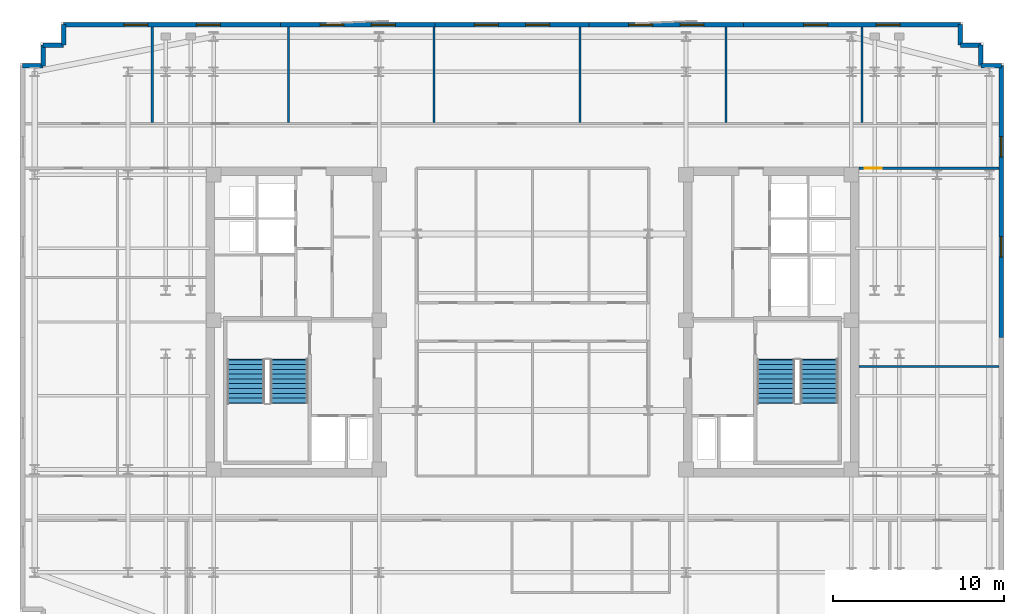
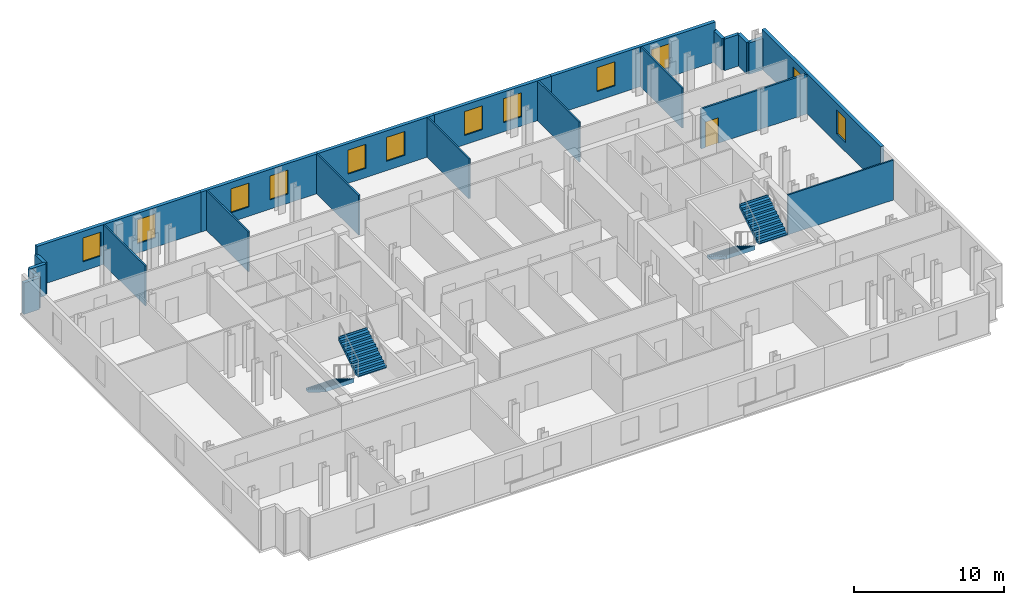
# One storey, part 7 of 9: 22 walls, 12 windows, 4 stair flights, 1 door, 13 openings, 2 elements without a shape of their own.
"""IFC4 building model written with IfcOpenShell, lengths in metres."""

import ifcopenshell
import ifcopenshell.guid

model = None  # the IFC model being written
_history = None  # IfcOwnerHistory: only IFC2X3 demands one
_inside = {}  # id of a spatial element -> (the spatial element, [elements in it])
_under = {}  # id of a project, library or spatial element -> (it, [spatial elements below it])
_declared = {}  # id of a project -> (the project, [libraries it declares])
_typed = {}  # id of a type object -> (the type object, [elements of that type])
_made_of = {}  # id of a material, layer set ... -> (it, [elements and type objects made of it])


def new_model(schema):
    """Start an empty IFC model of exactly this schema.

    Asked for "IFC4X3", IfcOpenShell would pick the latest addendum, in which some entities
    have other attributes; the version numbers below select the first issue.
    IFC2X3 requires an IfcOwnerHistory on every rooted entity: one is made here for all.
    """
    global model, _history
    if schema == "IFC4X3":
        model = ifcopenshell.file(schema_version=(4, 3, 0, 0))
    else:
        model = ifcopenshell.file(schema=schema)
    _inside.clear()
    _under.clear()
    _declared.clear()
    _typed.clear()
    _made_of.clear()
    _history = None
    if model.schema == "IFC2X3":
        org = make("IfcOrganization", Name="unknown")
        user = make(
            "IfcPersonAndOrganization",
            ThePerson=make("IfcPerson", FamilyName="unknown"),
            TheOrganization=org,
        )
        app = make(
            "IfcApplication",
            ApplicationDeveloper=org,
            Version="unknown",
            ApplicationFullName="unknown",
            ApplicationIdentifier="unknown",
        )
        _history = make(
            "IfcOwnerHistory",
            OwningUser=user,
            OwningApplication=app,
            ChangeAction="ADDED",
            CreationDate=0,
        )
    return model


def make(cls, **values):
    """One entity of the class cls with the attributes given. An attribute that is None is left unset."""
    return model.create_entity(
        cls, **{name: value for name, value in values.items() if value is not None}
    )


def rooted(cls, **values):
    """An entity with a GlobalId (a new one), such as an element, a storey or a relation."""
    return make(cls, GlobalId=ifcopenshell.guid.new(), OwnerHistory=_history, **values)


def si_unit(unit_type, name, prefix=None):
    """IfcSIUnit, for example si_unit("LENGTHUNIT", "METRE", prefix="MILLI")."""
    return make("IfcSIUnit", UnitType=unit_type, Prefix=prefix, Name=name)


def assignment(units):
    """IfcUnitAssignment: the units of a project."""
    return None if units is None else make("IfcUnitAssignment", Units=units)


def point(xyz):
    """IfcCartesianPoint."""
    return None if xyz is None else make("IfcCartesianPoint", Coordinates=xyz)


def direction(xyz):
    """IfcDirection."""
    return None if xyz is None else make("IfcDirection", DirectionRatios=xyz)


def frame(location, z_axis=None, x_axis=None):
    """IfcAxis2Placement3D, a coordinate frame: its origin and axes. An axis left out is left unset."""
    return make(
        "IfcAxis2Placement3D",
        Location=point(location),
        Axis=direction(z_axis),
        RefDirection=direction(x_axis),
    )


def frame_2d(location, x_axis=None):
    """IfcAxis2Placement2D, a coordinate frame in the plane: its origin and x axis."""
    return make(
        "IfcAxis2Placement2D", Location=point(location), RefDirection=direction(x_axis)
    )


def origin():
    """The frame at (0, 0, 0) with its axes left unset."""
    return frame((0.0, 0.0, 0.0))


def place(relative_to, where):
    """IfcLocalPlacement: puts the frame where relative to a parent placement (None: the world)."""
    return make(
        "IfcLocalPlacement", PlacementRelTo=relative_to, RelativePlacement=where
    )


def context(
    kind, dimensions, precision=None, world=None, true_north=None, identifier=None
):
    """IfcGeometricRepresentationContext, for example the 3D "Model" context."""
    return make(
        "IfcGeometricRepresentationContext",
        ContextIdentifier=identifier,
        ContextType=kind,
        CoordinateSpaceDimension=dimensions,
        Precision=precision,
        WorldCoordinateSystem=world,
        TrueNorth=true_north,
    )


def subcontext(parent, identifier, kind, view, scale=None):
    """IfcGeometricRepresentationSubContext, for example "Body" below "Model"."""
    return make(
        "IfcGeometricRepresentationSubContext",
        ContextIdentifier=identifier,
        ContextType=kind,
        ParentContext=parent,
        TargetScale=scale,
        TargetView=view,
    )


def project(units=None, contexts=None):
    """IfcProject with its units and contexts."""
    return rooted(
        "IfcProject",
        Name="project",
        RepresentationContexts=contexts,
        UnitsInContext=assignment(units),
    )


def spatial(cls, under=None, at=None, **own):
    """A site, building, storey or space (cls), placed at a placement, below another one or the project."""
    s = rooted(cls, ObjectPlacement=at, **own)
    if under is not None:
        _under.setdefault(under.id(), (under, []))[1].append(s)
    return s


def polyline(points):
    """IfcPolyline through the points."""
    return make("IfcPolyline", Points=[point(p) for p in points])


def profile(cls, at=None, kind="AREA", **sizes):
    """A parametric profile (cls). Its sizes go by their IFC names, for example OverallWidth=200.0."""
    return make(cls, ProfileType=kind, Position=at, **sizes)


def rectangle(**sizes):
    """IfcRectangleProfileDef."""
    return profile("IfcRectangleProfileDef", **sizes)


def outline(outer, holes=None, kind="AREA"):
    """IfcArbitraryClosedProfileDef: a profile drawn as a closed curve; with holes, ...WithVoids."""
    if holes is None:
        return make("IfcArbitraryClosedProfileDef", ProfileType=kind, OuterCurve=outer)
    return make(
        "IfcArbitraryProfileDefWithVoids",
        ProfileType=kind,
        OuterCurve=outer,
        InnerCurves=holes,
    )


def extrude(swept, where, along, depth):
    """IfcExtrudedAreaSolid: the profile swept, set in the frame where, extruded along a direction by depth."""
    return make(
        "IfcExtrudedAreaSolid",
        SweptArea=swept,
        Position=where,
        ExtrudedDirection=direction(along),
        Depth=depth,
    )


def shape(context_of_items, identifier, shape_type, items):
    """IfcShapeRepresentation: the items that make up one representation, for example the "Body"."""
    return make(
        "IfcShapeRepresentation",
        ContextOfItems=context_of_items,
        RepresentationIdentifier=identifier,
        RepresentationType=shape_type,
        Items=items,
    )


def material(Name=None, Category=None):
    """IfcMaterial."""
    return make("IfcMaterial", Name=Name, Category=Category)


def layer(
    of_material, thickness, ventilated=None, Name=None, Category=None, Priority=None
):
    """IfcMaterialLayer: one layer of a wall or slab, of a material (None: an air gap)."""
    return make(
        "IfcMaterialLayer",
        Material=of_material,
        LayerThickness=thickness,
        IsVentilated=ventilated,
        Name=Name,
        Category=Category,
        Priority=Priority,
    )


def layer_set(layers, Name=None):
    """IfcMaterialLayerSet."""
    return make("IfcMaterialLayerSet", MaterialLayers=layers, LayerSetName=Name)


def made_of(thing, what):
    """Note that an element or type object is made of a material, layer set ...; save() writes the relation."""
    if what is not None:
        _made_of.setdefault(what.id(), (what, []))[1].append(thing)
    return thing


def type_object(cls, material=None, **own):
    """A type object (cls), such as IfcWallType, which elements share."""
    return made_of(rooted(cls, **own), material)


def element(
    cls,
    number,
    at=None,
    inside=None,
    cuts=None,
    type_object=None,
    material=None,
    context=None,
    identifier="Body",
    shape_type=None,
    held_by="IfcProductDefinitionShape",
    body=None,
    shapes=None,
    **own,
):
    """One element of the class cls, such as IfcWall. Its Tag is "e" and its number.

    at: its placement. inside: the storey or other place that contains it. cuts: it is an
    opening in that element (IfcRelVoidsElement). A single representation is given by context,
    identifier, shape_type and body (its items); several are given by shapes. held_by: the class
    of the entity that holds the representations. save() writes the other relations.
    """
    e = rooted(cls, Tag="e%d" % number, ObjectPlacement=at, **own)
    if body is not None:
        shapes = [shape(context, identifier, shape_type, body)]
    if shapes is not None:
        e.Representation = make(held_by, Representations=shapes)
    if inside is not None:
        _inside.setdefault(inside.id(), (inside, []))[1].append(e)
    if cuts is not None:
        rooted(
            "IfcRelVoidsElement", RelatingBuildingElement=cuts, RelatedOpeningElement=e
        )
    if type_object is not None:
        _typed.setdefault(type_object.id(), (type_object, []))[1].append(e)
    return made_of(e, material)


def fill(opening, filler):
    """IfcRelFillsElement: the door or window that sits in an opening."""
    return rooted(
        "IfcRelFillsElement",
        RelatingOpeningElement=opening,
        RelatedBuildingElement=filler,
    )


def aggregate(whole, parts):
    """IfcRelAggregates: a whole, such as a stair, and the parts it consists of."""
    return rooted("IfcRelAggregates", RelatingObject=whole, RelatedObjects=parts)


def save(model, path):
    """Write the relations noted so far, then the file.

    IfcRelAggregates (storeys below a building ...), IfcRelContainedInSpatialStructure (elements
    in a storey), IfcRelDefinesByType, IfcRelAssociatesMaterial and IfcRelDeclares: one each for
    every whole, place, type object, material and project.
    """
    for whole, parts in _under.values():
        aggregate(whole, parts)
    for where, things in _inside.values():
        rooted(
            "IfcRelContainedInSpatialStructure",
            RelatedElements=things,
            RelatingStructure=where,
        )
    for kind, things in _typed.values():
        rooted("IfcRelDefinesByType", RelatedObjects=things, RelatingType=kind)
    for what, things in _made_of.values():
        rooted("IfcRelAssociatesMaterial", RelatedObjects=things, RelatingMaterial=what)
    for by, libraries in _declared.values():
        rooted("IfcRelDeclares", RelatingContext=by, RelatedDefinitions=libraries)
    model.write(path)


model = new_model("IFC4")

# Units and contexts
model_context = context("Model", 3, precision=1e-05, world=origin(), true_north=direction((0.0, 1.0)))
body_context = subcontext(model_context, "Body", "Model", "MODEL_VIEW")
ifc_project = project(units=[si_unit("LENGTHUNIT", "METRE"), si_unit("AREAUNIT", "SQUARE_METRE"), si_unit("VOLUMEUNIT", "CUBIC_METRE"), si_unit("PLANEANGLEUNIT", "RADIAN"), si_unit("MASSUNIT", "GRAM", prefix="KILO")], contexts=[model_context])

# Site, building, storey
site_placement = place(None, origin())
site = spatial("IfcSite", under=ifc_project, at=site_placement, CompositionType="ELEMENT")
building_placement = place(site_placement, origin())
building = spatial("IfcBuilding", under=site, at=building_placement, Name="Velakula Bourse", CompositionType="ELEMENT")
storey_placement = place(building_placement, frame((0.0, 0.0, 236.10009765625)))
storey = spatial("IfcBuildingStorey", under=building, at=storey_placement, Name="L64", CompositionType="ELEMENT", Elevation=236.10009765625)

# Wall, openings, windows
ifc_material_1 = material(Name="Buff kilned clay facing brick masonry", Category="masonry")
ifc_layer_1 = layer(ifc_material_1, 0.260009765625, Name="Buff kilned clay facing brick masonry", Category="masonry")
ifc_layer_set_1 = layer_set([ifc_layer_1], Name="Buff kilned clay facing brick masonry")
wall_type_1 = type_object("IfcWallType", Name="WL-EXT-BRK-260", PredefinedType="STANDARD", material=ifc_layer_set_1)
wall_1_placement = place(storey_placement, frame((-27.35009765625, 17.35009765625, 0.0), z_axis=(0.0, 0.0, 1.0), x_axis=(1.0, 0.0, 0.0)))
wall_1 = element("IfcWall", 1, at=wall_1_placement, inside=storey, type_object=wall_type_1, Name="L64 N Brick Spandrel Wall B1", PredefinedType="STANDARD", context=body_context, shape_type="SweptSolid", body=[
    extrude(rectangle(XDim=12.650146484375, YDim=0.260009765625, at=frame_2d((6.3251953125, 0.0))), origin(), (0.0, 0.0, 1.0), 3.25),
])
opening_1_placement = place(wall_1_placement, frame((3.5166015625, 0.0, 0.760009765625)))
opening_1 = element("IfcOpeningElement", 2, at=opening_1_placement, cuts=wall_1, Name="Opening W-03", PredefinedType="OPENING", context=body_context, shape_type="SweptSolid", body=[
    extrude(rectangle(XDim=1.39990234375, YDim=1.949951171875, at=frame_2d((0.699951171875, 0.97509765625))), frame((0.0, 0.139892578125, 0.0), z_axis=(0.0, -1.0, 0.0), x_axis=(1.0, 0.0, 0.0)), (0.0, 0.0, 1.0), 0.280029296875),
])
opening_2_placement = place(wall_1_placement, frame((7.7333984375, 0.0, 0.760009765625)))
opening_2 = element("IfcOpeningElement", 3, at=opening_2_placement, cuts=wall_1, Name="Opening W-03", PredefinedType="OPENING", context=body_context, shape_type="SweptSolid", body=[
    extrude(rectangle(XDim=1.39990234375, YDim=1.949951171875, at=frame_2d((0.699951171875, 0.97509765625))), frame((0.0, 0.139892578125, 0.0), z_axis=(0.0, -1.0, 0.0), x_axis=(1.0, 0.0, 0.0)), (0.0, 0.0, 1.0), 0.280029296875),
])
ifc_material_2 = material(Name="Double-glazed solar-control Low-E glass", Category="glass")
window_type_1 = type_object("IfcWindowType", Name="WIN-TWR-1400x2100", PartitioningType="SINGLE_PANEL", PredefinedType="WINDOW", material=ifc_material_2)
window_1_placement = place(opening_1_placement, origin())
window_1 = element("IfcWindow", 4, at=window_1_placement, inside=storey, type_object=window_type_1, Name="L64 Deep-Set Recessed Window 1", OverallHeight=1.949951171875, OverallWidth=1.39990234375, PartitioningType="SINGLE_PANEL", PredefinedType="WINDOW", context=body_context, shape_type="SweptSolid", body=[
    extrude(rectangle(XDim=1.39990234375, YDim=1.949951171875, at=frame_2d((0.699951171875, 0.97509765625))), frame((0.0, 0.030029296875, 0.0), z_axis=(0.0, -1.0, 0.0), x_axis=(1.0, 0.0, 0.0)), (0.0, 0.0, 1.0), 0.06005859375),
])
fill(opening_1, window_1)
window_2_placement = place(opening_2_placement, origin())
window_2 = element("IfcWindow", 5, at=window_2_placement, inside=storey, type_object=window_type_1, Name="L64 Deep-Set Recessed Window 2", OverallHeight=1.949951171875, OverallWidth=1.39990234375, PartitioningType="SINGLE_PANEL", PredefinedType="WINDOW", context=body_context, shape_type="SweptSolid", body=[
    extrude(rectangle(XDim=1.39990234375, YDim=1.949951171875, at=frame_2d((0.699951171875, 0.97509765625))), frame((0.0, 0.030029296875, 0.0), z_axis=(0.0, -1.0, 0.0), x_axis=(1.0, 0.0, 0.0)), (0.0, 0.0, 1.0), 0.06005859375),
])
fill(opening_2, window_2)

wall_2_placement = place(storey_placement, frame((-14.699951171875, 17.35009765625, 0.0), z_axis=(0.0, 0.0, 1.0), x_axis=(1.0, 0.0, 0.0)))
wall_2 = element("IfcWall", 6, at=wall_2_placement, inside=storey, type_object=wall_type_1, Name="L64 N Brick Spandrel Wall B2", PredefinedType="STANDARD", context=body_context, shape_type="SweptSolid", body=[
    extrude(rectangle(XDim=9.0, YDim=0.260009765625, at=frame_2d((4.5, 0.0))), origin(), (0.0, 0.0, 1.0), 3.25),
])
opening_3_placement = place(wall_2_placement, frame((2.300048828125, 0.0, 0.760009765625)))
opening_3 = element("IfcOpeningElement", 7, at=opening_3_placement, cuts=wall_2, Name="Opening W-03", PredefinedType="OPENING", context=body_context, shape_type="SweptSolid", body=[
    extrude(rectangle(XDim=1.39990234375, YDim=1.949951171875, at=frame_2d((0.699951171875, 0.97509765625))), frame((0.0, 0.139892578125, 0.0), z_axis=(0.0, -1.0, 0.0), x_axis=(1.0, 0.0, 0.0)), (0.0, 0.0, 1.0), 0.280029296875),
])
opening_4_placement = place(wall_2_placement, frame((5.300048828125, 0.0, 0.760009765625)))
opening_4 = element("IfcOpeningElement", 8, at=opening_4_placement, cuts=wall_2, Name="Opening W-03", PredefinedType="OPENING", context=body_context, shape_type="SweptSolid", body=[
    extrude(rectangle(XDim=1.39990234375, YDim=1.949951171875, at=frame_2d((0.699951171875, 0.97509765625))), frame((0.0, 0.139892578125, 0.0), z_axis=(0.0, -1.0, 0.0), x_axis=(1.0, 0.0, 0.0)), (0.0, 0.0, 1.0), 0.280029296875),
])
window_3_placement = place(opening_3_placement, origin())
window_3 = element("IfcWindow", 9, at=window_3_placement, inside=storey, type_object=window_type_1, Name="L64 Deep-Set Recessed Window 1", OverallHeight=1.949951171875, OverallWidth=1.39990234375, PartitioningType="SINGLE_PANEL", PredefinedType="WINDOW", context=body_context, shape_type="SweptSolid", body=[
    extrude(rectangle(XDim=1.39990234375, YDim=1.949951171875, at=frame_2d((0.699951171875, 0.97509765625))), frame((0.0, 0.030029296875, 0.0), z_axis=(0.0, -1.0, 0.0), x_axis=(1.0, 0.0, 0.0)), (0.0, 0.0, 1.0), 0.06005859375),
])
fill(opening_3, window_3)
window_4_placement = place(opening_4_placement, origin())
window_4 = element("IfcWindow", 10, at=window_4_placement, inside=storey, type_object=window_type_1, Name="L64 Deep-Set Recessed Window 2", OverallHeight=1.949951171875, OverallWidth=1.39990234375, PartitioningType="SINGLE_PANEL", PredefinedType="WINDOW", context=body_context, shape_type="SweptSolid", body=[
    extrude(rectangle(XDim=1.39990234375, YDim=1.949951171875, at=frame_2d((0.699951171875, 0.97509765625))), frame((0.0, 0.030029296875, 0.0), z_axis=(0.0, -1.0, 0.0), x_axis=(1.0, 0.0, 0.0)), (0.0, 0.0, 1.0), 0.06005859375),
])
fill(opening_4, window_4)

wall_3_placement = place(storey_placement, frame((-5.699951171875, 17.35009765625, 0.0), z_axis=(0.0, 0.0, 1.0), x_axis=(1.0, 0.0, 0.0)))
wall_3 = element("IfcWall", 11, at=wall_3_placement, inside=storey, type_object=wall_type_1, Name="L64 N Brick Spandrel Wall B3", PredefinedType="STANDARD", context=body_context, shape_type="SweptSolid", body=[
    extrude(rectangle(XDim=9.0, YDim=0.260009765625, at=frame_2d((4.5, 0.0))), origin(), (0.0, 0.0, 1.0), 3.25),
])
opening_5_placement = place(wall_3_placement, frame((2.300048828125, 0.0, 0.760009765625)))
opening_5 = element("IfcOpeningElement", 12, at=opening_5_placement, cuts=wall_3, Name="Opening W-03", PredefinedType="OPENING", context=body_context, shape_type="SweptSolid", body=[
    extrude(rectangle(XDim=1.39990234375, YDim=1.949951171875, at=frame_2d((0.699951171875, 0.97509765625))), frame((0.0, 0.139892578125, 0.0), z_axis=(0.0, -1.0, 0.0), x_axis=(1.0, 0.0, 0.0)), (0.0, 0.0, 1.0), 0.280029296875),
])
opening_6_placement = place(wall_3_placement, frame((5.300048828125, 0.0, 0.760009765625)))
opening_6 = element("IfcOpeningElement", 13, at=opening_6_placement, cuts=wall_3, Name="Opening W-03", PredefinedType="OPENING", context=body_context, shape_type="SweptSolid", body=[
    extrude(rectangle(XDim=1.39990234375, YDim=1.949951171875, at=frame_2d((0.699951171875, 0.97509765625))), frame((0.0, 0.139892578125, 0.0), z_axis=(0.0, -1.0, 0.0), x_axis=(1.0, 0.0, 0.0)), (0.0, 0.0, 1.0), 0.280029296875),
])
window_5_placement = place(opening_5_placement, origin())
window_5 = element("IfcWindow", 14, at=window_5_placement, inside=storey, type_object=window_type_1, Name="L64 Deep-Set Recessed Window 1", OverallHeight=1.949951171875, OverallWidth=1.39990234375, PartitioningType="SINGLE_PANEL", PredefinedType="WINDOW", context=body_context, shape_type="SweptSolid", body=[
    extrude(rectangle(XDim=1.39990234375, YDim=1.949951171875, at=frame_2d((0.699951171875, 0.97509765625))), frame((0.0, 0.030029296875, 0.0), z_axis=(0.0, -1.0, 0.0), x_axis=(1.0, 0.0, 0.0)), (0.0, 0.0, 1.0), 0.06005859375),
])
fill(opening_5, window_5)
window_6_placement = place(opening_6_placement, origin())
window_6 = element("IfcWindow", 15, at=window_6_placement, inside=storey, type_object=window_type_1, Name="L64 Deep-Set Recessed Window 2", OverallHeight=1.949951171875, OverallWidth=1.39990234375, PartitioningType="SINGLE_PANEL", PredefinedType="WINDOW", context=body_context, shape_type="SweptSolid", body=[
    extrude(rectangle(XDim=1.39990234375, YDim=1.949951171875, at=frame_2d((0.699951171875, 0.97509765625))), frame((0.0, 0.030029296875, 0.0), z_axis=(0.0, -1.0, 0.0), x_axis=(1.0, 0.0, 0.0)), (0.0, 0.0, 1.0), 0.06005859375),
])
fill(opening_6, window_6)

wall_4_placement = place(storey_placement, frame((3.300048828125, 17.35009765625, 0.0), z_axis=(0.0, 0.0, 1.0), x_axis=(1.0, 0.0, 0.0)))
wall_4 = element("IfcWall", 16, at=wall_4_placement, inside=storey, type_object=wall_type_1, Name="L64 N Brick Spandrel Wall B4", PredefinedType="STANDARD", context=body_context, shape_type="SweptSolid", body=[
    extrude(rectangle(XDim=9.0, YDim=0.260009765625, at=frame_2d((4.5, 0.0))), origin(), (0.0, 0.0, 1.0), 3.25),
])
opening_7_placement = place(wall_4_placement, frame((2.300048828125, 0.0, 0.760009765625)))
opening_7 = element("IfcOpeningElement", 17, at=opening_7_placement, cuts=wall_4, Name="Opening W-03", PredefinedType="OPENING", context=body_context, shape_type="SweptSolid", body=[
    extrude(rectangle(XDim=1.39990234375, YDim=1.949951171875, at=frame_2d((0.699951171875, 0.97509765625))), frame((0.0, 0.139892578125, 0.0), z_axis=(0.0, -1.0, 0.0), x_axis=(1.0, 0.0, 0.0)), (0.0, 0.0, 1.0), 0.280029296875),
])
opening_8_placement = place(wall_4_placement, frame((5.300048828125, 0.0, 0.760009765625)))
opening_8 = element("IfcOpeningElement", 18, at=opening_8_placement, cuts=wall_4, Name="Opening W-03", PredefinedType="OPENING", context=body_context, shape_type="SweptSolid", body=[
    extrude(rectangle(XDim=1.39990234375, YDim=1.949951171875, at=frame_2d((0.699951171875, 0.97509765625))), frame((0.0, 0.139892578125, 0.0), z_axis=(0.0, -1.0, 0.0), x_axis=(1.0, 0.0, 0.0)), (0.0, 0.0, 1.0), 0.280029296875),
])
window_7_placement = place(opening_7_placement, origin())
window_7 = element("IfcWindow", 19, at=window_7_placement, inside=storey, type_object=window_type_1, Name="L64 Deep-Set Recessed Window 1", OverallHeight=1.949951171875, OverallWidth=1.39990234375, PartitioningType="SINGLE_PANEL", PredefinedType="WINDOW", context=body_context, shape_type="SweptSolid", body=[
    extrude(rectangle(XDim=1.39990234375, YDim=1.949951171875, at=frame_2d((0.699951171875, 0.97509765625))), frame((0.0, 0.030029296875, 0.0), z_axis=(0.0, -1.0, 0.0), x_axis=(1.0, 0.0, 0.0)), (0.0, 0.0, 1.0), 0.06005859375),
])
fill(opening_7, window_7)
window_8_placement = place(opening_8_placement, origin())
window_8 = element("IfcWindow", 20, at=window_8_placement, inside=storey, type_object=window_type_1, Name="L64 Deep-Set Recessed Window 2", OverallHeight=1.949951171875, OverallWidth=1.39990234375, PartitioningType="SINGLE_PANEL", PredefinedType="WINDOW", context=body_context, shape_type="SweptSolid", body=[
    extrude(rectangle(XDim=1.39990234375, YDim=1.949951171875, at=frame_2d((0.699951171875, 0.97509765625))), frame((0.0, 0.030029296875, 0.0), z_axis=(0.0, -1.0, 0.0), x_axis=(1.0, 0.0, 0.0)), (0.0, 0.0, 1.0), 0.06005859375),
])
fill(opening_8, window_8)

wall_5_placement = place(storey_placement, frame((12.300048828125, 17.35009765625, 0.0), z_axis=(0.0, 0.0, 1.0), x_axis=(1.0, 0.0, 0.0)))
wall_5 = element("IfcWall", 21, at=wall_5_placement, inside=storey, type_object=wall_type_1, Name="L64 N Brick Spandrel Wall B5", PredefinedType="STANDARD", context=body_context, shape_type="SweptSolid", body=[
    extrude(rectangle(XDim=12.64990234375, YDim=0.260009765625, at=frame_2d((6.324951171875, 0.0))), origin(), (0.0, 0.0, 1.0), 3.25),
])
opening_9_placement = place(wall_5_placement, frame((3.5166015625, 0.0, 0.760009765625)))
opening_9 = element("IfcOpeningElement", 22, at=opening_9_placement, cuts=wall_5, Name="Opening W-03", PredefinedType="OPENING", context=body_context, shape_type="SweptSolid", body=[
    extrude(rectangle(XDim=1.39990234375, YDim=1.949951171875, at=frame_2d((0.699951171875, 0.97509765625))), frame((0.0, 0.139892578125, 0.0), z_axis=(0.0, -1.0, 0.0), x_axis=(1.0, 0.0, 0.0)), (0.0, 0.0, 1.0), 0.280029296875),
])
opening_10_placement = place(wall_5_placement, frame((7.7333984375, 0.0, 0.760009765625)))
opening_10 = element("IfcOpeningElement", 23, at=opening_10_placement, cuts=wall_5, Name="Opening W-03", PredefinedType="OPENING", context=body_context, shape_type="SweptSolid", body=[
    extrude(rectangle(XDim=1.39990234375, YDim=1.949951171875, at=frame_2d((0.699951171875, 0.97509765625))), frame((0.0, 0.139892578125, 0.0), z_axis=(0.0, -1.0, 0.0), x_axis=(1.0, 0.0, 0.0)), (0.0, 0.0, 1.0), 0.280029296875),
])
window_9_placement = place(opening_9_placement, origin())
window_9 = element("IfcWindow", 24, at=window_9_placement, inside=storey, type_object=window_type_1, Name="L64 Deep-Set Recessed Window 1", OverallHeight=1.949951171875, OverallWidth=1.39990234375, PartitioningType="SINGLE_PANEL", PredefinedType="WINDOW", context=body_context, shape_type="SweptSolid", body=[
    extrude(rectangle(XDim=1.39990234375, YDim=1.949951171875, at=frame_2d((0.699951171875, 0.97509765625))), frame((0.0, 0.030029296875, 0.0), z_axis=(0.0, -1.0, 0.0), x_axis=(1.0, 0.0, 0.0)), (0.0, 0.0, 1.0), 0.06005859375),
])
fill(opening_9, window_9)
window_10_placement = place(opening_10_placement, origin())
window_10 = element("IfcWindow", 25, at=window_10_placement, inside=storey, type_object=window_type_1, Name="L64 Deep-Set Recessed Window 2", OverallHeight=1.949951171875, OverallWidth=1.39990234375, PartitioningType="SINGLE_PANEL", PredefinedType="WINDOW", context=body_context, shape_type="SweptSolid", body=[
    extrude(rectangle(XDim=1.39990234375, YDim=1.949951171875, at=frame_2d((0.699951171875, 0.97509765625))), frame((0.0, 0.030029296875, 0.0), z_axis=(0.0, -1.0, 0.0), x_axis=(1.0, 0.0, 0.0)), (0.0, 0.0, 1.0), 0.06005859375),
])
fill(opening_10, window_10)

wall_6_placement = place(storey_placement, frame((27.35009765625, 14.949951171875, 0.0), z_axis=(0.0, 0.0, 1.0), x_axis=(0.0, -1.0, 0.0)))
wall_6 = element("IfcWall", 26, at=wall_6_placement, inside=storey, type_object=wall_type_1, Name="L64 E Brick End Wall W2", PredefinedType="STANDARD", context=body_context, shape_type="SweptSolid", body=[
    extrude(rectangle(XDim=15.849853515625, YDim=0.260009765625, at=frame_2d((7.9248046875, 0.0))), origin(), (0.0, 0.0, 1.0), 3.25),
])
opening_11_placement = place(wall_6_placement, frame((4.13330078125, 0.0, 0.760009765625)))
opening_11 = element("IfcOpeningElement", 27, at=opening_11_placement, cuts=wall_6, Name="Opening W-04", PredefinedType="OPENING", context=body_context, shape_type="SweptSolid", body=[
    extrude(rectangle(XDim=1.199951171875, YDim=1.949951171875, at=frame_2d((0.60009765625, 0.97509765625))), frame((0.0, 0.139892578125, 0.0), z_axis=(0.0, -1.0, 0.0), x_axis=(1.0, 0.0, 0.0)), (0.0, 0.0, 1.0), 0.280029296875),
])
opening_12_placement = place(wall_6_placement, frame((9.966796875, 0.0, 0.760009765625)))
opening_12 = element("IfcOpeningElement", 28, at=opening_12_placement, cuts=wall_6, Name="Opening W-04", PredefinedType="OPENING", context=body_context, shape_type="SweptSolid", body=[
    extrude(rectangle(XDim=1.199951171875, YDim=1.949951171875, at=frame_2d((0.60009765625, 0.97509765625))), frame((0.0, 0.139892578125, 0.0), z_axis=(0.0, -1.0, 0.0), x_axis=(1.0, 0.0, 0.0)), (0.0, 0.0, 1.0), 0.280029296875),
])
window_type_2 = type_object("IfcWindowType", Name="WIN-TWR-1200x2100", PartitioningType="SINGLE_PANEL", PredefinedType="WINDOW", material=ifc_material_2)
window_11_placement = place(opening_11_placement, origin())
window_11 = element("IfcWindow", 29, at=window_11_placement, inside=storey, type_object=window_type_2, Name="L64 Deep-Set Recessed Window 1", OverallHeight=1.949951171875, OverallWidth=1.199951171875, PartitioningType="SINGLE_PANEL", PredefinedType="WINDOW", context=body_context, shape_type="SweptSolid", body=[
    extrude(rectangle(XDim=1.199951171875, YDim=1.949951171875, at=frame_2d((0.60009765625, 0.97509765625))), frame((0.0, 0.030029296875, 0.0), z_axis=(0.0, -1.0, 0.0), x_axis=(1.0, 0.0, 0.0)), (0.0, 0.0, 1.0), 0.06005859375),
])
fill(opening_11, window_11)
window_12_placement = place(opening_12_placement, origin())
window_12 = element("IfcWindow", 30, at=window_12_placement, inside=storey, type_object=window_type_2, Name="L64 Deep-Set Recessed Window 2", OverallHeight=1.949951171875, OverallWidth=1.199951171875, PartitioningType="SINGLE_PANEL", PredefinedType="WINDOW", context=body_context, shape_type="SweptSolid", body=[
    extrude(rectangle(XDim=1.199951171875, YDim=1.949951171875, at=frame_2d((0.60009765625, 0.97509765625))), frame((0.0, 0.030029296875, 0.0), z_axis=(0.0, -1.0, 0.0), x_axis=(1.0, 0.0, 0.0)), (0.0, 0.0, 1.0), 0.06005859375),
])
fill(opening_12, window_12)

# Walls
wall_7_placement = place(storey_placement, frame((27.35009765625, 14.949951171875, 0.0), z_axis=(0.0, 0.0, 1.0), x_axis=(-1.0, 0.0, 0.0)))
element("IfcWall", 31, at=wall_7_placement, inside=storey, type_object=wall_type_1, Name="L64 Serrated Corner Brick Wall NE-1", PredefinedType="STANDARD", context=body_context, shape_type="SweptSolid", body=[
    extrude(rectangle(XDim=1.2001953125, YDim=0.260009765625, at=frame_2d((0.60009765625, 0.0))), origin(), (0.0, 0.0, 1.0), 2.56494140625),
])
for number, where, z_axis, x_axis, name in (
    (32, (26.14990234375, 14.949951171875, 0.0), (0.0, 0.0, 1.0), (0.0, 1.0, 0.0), "L64 Serrated Corner Brick Wall NE-2"),
    (33, (26.14990234375, 16.14990234375, 0.0), (0.0, 0.0, 1.0), (-1.0, 0.0, 0.0), "L64 Serrated Corner Brick Wall NE-3"),
):
    element("IfcWall", number, at=place(storey_placement, frame(where, z_axis=z_axis, x_axis=x_axis)), inside=storey, type_object=wall_type_1, Name=name, PredefinedType="STANDARD", context=body_context, shape_type="SweptSolid", body=[
        extrude(rectangle(XDim=1.199951171875, YDim=0.260009765625, at=frame_2d((0.60009765625, 0.0))), origin(), (0.0, 0.0, 1.0), 2.56494140625),
    ])
for number, where, z_axis, x_axis, name in (
    (34, (24.949951171875, 16.14990234375, 0.0), (0.0, 0.0, 1.0), (0.0, 1.0, 0.0), "L64 Serrated Corner Brick Wall NE-4"),
    (35, (-27.35009765625, 17.35009765625, 0.0), (0.0, 0.0, 1.0), (0.0, -1.0, 0.0), "L64 Serrated Corner Brick Wall NW-1"),
):
    element("IfcWall", number, at=place(storey_placement, frame(where, z_axis=z_axis, x_axis=x_axis)), inside=storey, type_object=wall_type_1, Name=name, PredefinedType="STANDARD", context=body_context, shape_type="SweptSolid", body=[
        extrude(rectangle(XDim=1.2001953125, YDim=0.260009765625, at=frame_2d((0.60009765625, 0.0))), origin(), (0.0, 0.0, 1.0), 2.56494140625),
    ])
for number, where, z_axis, x_axis, name in (
    (36, (-27.35009765625, 16.14990234375, 0.0), (0.0, 0.0, 1.0), (-1.0, 0.0, 0.0), "L64 Serrated Corner Brick Wall NW-2"),
    (37, (-28.550048828125, 16.14990234375, 0.0), (0.0, 0.0, 1.0), (0.0, -1.0, 0.0), "L64 Serrated Corner Brick Wall NW-3"),
    (38, (-28.550048828125, 14.949951171875, 0.0), (0.0, 0.0, 1.0), (-1.0, 0.0, 0.0), "L64 Serrated Corner Brick Wall NW-4"),
):
    element("IfcWall", number, at=place(storey_placement, frame(where, z_axis=z_axis, x_axis=x_axis)), inside=storey, type_object=wall_type_1, Name=name, PredefinedType="STANDARD", context=body_context, shape_type="SweptSolid", body=[
        extrude(rectangle(XDim=1.199951171875, YDim=0.260009765625, at=frame_2d((0.60009765625, 0.0))), origin(), (0.0, 0.0, 1.0), 2.56494140625),
    ])
ifc_material_3 = material(Name="Fire-rated double-layer gypsum drywall partition", Category="gypsum")
ifc_layer_2 = layer(ifc_material_3, 0.1201171875, Name="Fire-rated double-layer gypsum drywall partition", Category="gypsum")
ifc_layer_set_2 = layer_set([ifc_layer_2], Name="Fire-rated double-layer gypsum drywall partition")
wall_type_2 = type_object("IfcWallType", Name="WL-PART-120", PredefinedType="STANDARD", material=ifc_layer_set_2)
for number, where, z_axis, x_axis, name in (
    (39, (-22.18603515625, 11.639892578125, 0.0), (0.0, 0.0, 1.0), (0.0, 1.0, 0.0), "L64 Interior Partition WL-INT-L64-N-D1"),
    (40, (-14.24609375, 11.639892578125, 0.0), (0.0, 0.0, 1.0), (0.0, 1.0, 0.0), "L64 Interior Partition WL-INT-L64-N-D2"),
    (41, (-5.738037109375, 11.639892578125, 0.0), (0.0, 0.0, 1.0), (0.0, 1.0, 0.0), "L64 Interior Partition WL-INT-L64-N-D3"),
    (42, (2.77001953125, 11.639892578125, 0.0), (0.0, 0.0, 1.0), (0.0, 1.0, 0.0), "L64 Interior Partition WL-INT-L64-N-D4"),
    (43, (11.278076171875, 11.639892578125, 0.0), (0.0, 0.0, 1.0), (0.0, 1.0, 0.0), "L64 Interior Partition WL-INT-L64-N-D5"),
    (44, (19.218994140625, 11.639892578125, 0.0), (0.0, 0.0, 1.0), (0.0, 1.0, 0.0), "L64 Interior Partition WL-INT-L64-N-D6"),
):
    element("IfcWall", number, at=place(storey_placement, frame(where, z_axis=z_axis, x_axis=x_axis)), inside=storey, type_object=wall_type_2, Name=name, PredefinedType="STANDARD", context=body_context, shape_type="SweptSolid", body=[
        extrude(rectangle(XDim=5.580078125, YDim=0.1201171875, at=frame_2d((2.7900390625, 0.0))), origin(), (0.0, 0.0, 1.0), 3.25),
    ])
wall_8_placement = place(storey_placement, frame((19.050048828125, -2.60009765625, 0.0), z_axis=(0.0, 0.0, 1.0), x_axis=(1.0, 0.0, 0.0)))
element("IfcWall", 45, at=wall_8_placement, inside=storey, type_object=wall_type_2, Name="L64 Interior Partition WL-INT-L64-E-H", PredefinedType="STANDARD", context=body_context, shape_type="SweptSolid", body=[
    extrude(rectangle(XDim=8.169921875, YDim=0.1201171875, at=frame_2d((4.0849609375, 0.0))), origin(), (0.0, 0.0, 1.0), 3.25),
])

# Wall, opening, door
ifc_layer_3 = layer(ifc_material_3, 0.139892578125, Name="Fire-rated double-layer gypsum drywall partition", Category="gypsum")
ifc_layer_set_3 = layer_set([ifc_layer_3], Name="Fire-rated double-layer gypsum drywall partition")
wall_type_3 = type_object("IfcWallType", Name="WL-PART-140", PredefinedType="STANDARD", material=ifc_layer_set_3)
wall_9_placement = place(storey_placement, frame((19.050048828125, 8.97998046875, 0.0), z_axis=(0.0, 0.0, 1.0), x_axis=(1.0, 0.0, 0.0)))
wall_9 = element("IfcWall", 46, at=wall_9_placement, inside=storey, type_object=wall_type_3, Name="L64 Interior Partition WL-INT-L64-E-NC", PredefinedType="STANDARD", context=body_context, shape_type="SweptSolid", body=[
    extrude(rectangle(XDim=8.169921875, YDim=0.139892578125, at=frame_2d((4.0849609375, 0.0))), origin(), (0.0, 0.0, 1.0), 3.25),
])
opening_13_placement = place(wall_9_placement, frame((0.320068359375, 0.0, 0.0)))
opening_13 = element("IfcOpeningElement", 47, at=opening_13_placement, cuts=wall_9, Name="Opening D-OF1", PredefinedType="OPENING", context=body_context, shape_type="SweptSolid", body=[
    extrude(rectangle(XDim=1.0, YDim=2.080078125, at=frame_2d((0.5, 1.0400390625))), frame((0.0, 0.079833984375, 0.0), z_axis=(0.0, -1.0, 0.0), x_axis=(1.0, 0.0, 0.0)), (0.0, 0.0, 1.0), 0.159912109375),
])
ifc_material_4 = material(Name="Fire-rated hardwood flush architectural door", Category="wood")
door_type = type_object("IfcDoorType", Name="DR-OFF-1000", OperationType="NOTDEFINED", PredefinedType="DOOR", material=ifc_material_4)
door_placement = place(opening_13_placement, origin())
door = element("IfcDoor", 48, at=door_placement, inside=storey, type_object=door_type, Name="L64 Issuer Relations Office Door", OperationType="SINGLE_SWING_LEFT", OverallHeight=2.080078125, OverallWidth=1.0, PredefinedType="DOOR", context=body_context, shape_type="SweptSolid", body=[
    extrude(rectangle(XDim=1.0, YDim=2.080078125, at=frame_2d((0.5, 1.0400390625))), frame((0.0, 0.02490234375, 0.0), z_axis=(0.0, -1.0, 0.0), x_axis=(1.0, 0.0, 0.0)), (0.0, 0.0, 1.0), 0.050048828125),
])
fill(opening_13, door)

# Stair, stair flights
ifc_material_5 = material(Name="Concrete M45 (fck 45 MPa)", Category="concrete")
stair_type = type_object("IfcStairType", Name="STR-DOG-390", PredefinedType="HALF_TURN_STAIR", material=ifc_material_5)
stair_1_placement = place(storey_placement, origin())
stair_1 = element("IfcStair", 49, at=stair_1_placement, inside=storey, type_object=stair_type, Name="L64 West Core Exit Stair ST-W1", PredefinedType="HALF_TURN_STAIR")
ifc_layer_4 = layer(ifc_material_5, 0.195068359375, Name="Concrete M45 (fck 45 MPa)", Category="concrete")
ifc_layer_set_4 = layer_set([ifc_layer_4], Name="Concrete M45 (fck 45 MPa)")
stair_flight_type = type_object("IfcStairFlightType", Name="FLT-DOG-390", PredefinedType="STRAIGHT", material=ifc_layer_set_4)
stair_flight_1_placement = place(storey_placement, frame((-16.720947265625, -2.199951171875, 0.0), z_axis=(0.0, 0.0, 1.0), x_axis=(0.0, -1.0, 0.0)))
stair_flight_1 = element("IfcStairFlight", 50, at=stair_flight_1_placement, type_object=stair_flight_type, Name="ST-W1 flight 1", NumberOfRisers=10, NumberOfTreads=9, PredefinedType="STRAIGHT", RiserHeight=0.1725, TreadLength=0.28, context=body_context, shape_type="SweptSolid", body=[
    extrude(outline(polyline([(-0.044921875, -0.0400390625), (-0.044921875, -0.036865234375), (-0.044921875, -0.033935546875), (-0.044921875, -0.03076171875), (-0.044921875, -0.027587890625), (-0.044921875, -0.024658203125), (-0.044921875, -0.021484375), (-0.044921875, -0.0185546875), (-0.044921875, -0.015380859375), (-0.044921875, -0.01220703125), (-0.044921875, -0.00927734375), (-0.044921875, -0.006103515625), (-0.044921875, -0.003173828125), (-0.044921875, 0.0), (0.0, 0.0), (0.0, 0.172607421875), (0.280029296875, 0.172607421875), (0.280029296875, 0.344970703125), (0.56005859375, 0.344970703125), (0.56005859375, 0.517578125), (0.840087890625, 0.517578125), (0.840087890625, 0.68994140625), (1.1201171875, 0.68994140625), (1.1201171875, 0.862548828125), (1.39990234375, 0.862548828125), (1.39990234375, 1.034912109375), (1.679931640625, 1.034912109375), (1.679931640625, 1.20751953125), (1.9599609375, 1.20751953125), (1.9599609375, 1.3798828125), (2.239990234375, 1.3798828125), (2.239990234375, 1.552490234375), (2.52001953125, 1.552490234375), (2.52001953125, 1.72509765625), (2.56494140625, 1.72509765625), (2.56494140625, 1.7001953125), (2.56494140625, 1.67529296875), (2.56494140625, 1.650390625), (2.56494140625, 1.62548828125), (2.56494140625, 1.6005859375), (2.56494140625, 1.57568359375), (2.56494140625, 1.55078125), (2.56494140625, 1.52587890625), (2.56494140625, 1.5009765625), (2.56494140625, 1.47607421875), (2.56494140625, 1.451171875), (2.56494140625, 1.42626953125), (2.56494140625, 1.4013671875), (2.56494140625, 1.37646484375), (0.285888671875, -0.0400390625), (-0.044921875, -0.0400390625)])), frame((0.0, 1.09912109375, 0.0), z_axis=(0.0, -1.0, 0.0), x_axis=(1.0, 0.0, 0.0)), (0.0, 0.0, 1.0), 2.197998046875),
])
stair_flight_2_placement = place(storey_placement, frame((-14.198974609375, -4.719970703125, 1.724853515625), z_axis=(0.0, 0.0, 1.0), x_axis=(0.0, 1.0, 0.0)))
stair_flight_2 = element("IfcStairFlight", 51, at=stair_flight_2_placement, type_object=stair_flight_type, Name="ST-W1 flight 2", NumberOfRisers=10, NumberOfTreads=9, PredefinedType="STRAIGHT", RiserHeight=0.1725, TreadLength=0.28, context=body_context, shape_type="SweptSolid", body=[
    extrude(outline(polyline([(-0.044921875, -0.0400390625), (-0.044921875, -0.036865234375), (-0.044921875, -0.033935546875), (-0.044921875, -0.03076171875), (-0.044921875, -0.027587890625), (-0.044921875, -0.024658203125), (-0.044921875, -0.021484375), (-0.044921875, -0.0185546875), (-0.044921875, -0.015380859375), (-0.044921875, -0.01220703125), (-0.044921875, -0.00927734375), (-0.044921875, -0.006103515625), (-0.044921875, -0.003173828125), (-0.044921875, 0.0), (0.0, 0.0), (0.0, 0.172607421875), (0.280029296875, 0.172607421875), (0.280029296875, 0.344970703125), (0.56005859375, 0.344970703125), (0.56005859375, 0.517578125), (0.840087890625, 0.517578125), (0.840087890625, 0.68994140625), (1.1201171875, 0.68994140625), (1.1201171875, 0.862548828125), (1.39990234375, 0.862548828125), (1.39990234375, 1.034912109375), (1.679931640625, 1.034912109375), (1.679931640625, 1.20751953125), (1.9599609375, 1.20751953125), (1.9599609375, 1.3798828125), (2.239990234375, 1.3798828125), (2.239990234375, 1.552490234375), (2.52001953125, 1.552490234375), (2.52001953125, 1.72509765625), (2.56494140625, 1.72509765625), (2.56494140625, 1.7001953125), (2.56494140625, 1.67529296875), (2.56494140625, 1.650390625), (2.56494140625, 1.62548828125), (2.56494140625, 1.6005859375), (2.56494140625, 1.57568359375), (2.56494140625, 1.55078125), (2.56494140625, 1.52587890625), (2.56494140625, 1.5009765625), (2.56494140625, 1.47607421875), (2.56494140625, 1.451171875), (2.56494140625, 1.42626953125), (2.56494140625, 1.4013671875), (2.56494140625, 1.37646484375), (0.285888671875, -0.0400390625), (-0.044921875, -0.0400390625)])), frame((0.0, 1.09912109375, 0.0), z_axis=(0.0, -1.0, 0.0), x_axis=(1.0, 0.0, 0.0)), (0.0, 0.0, 1.0), 2.197998046875),
])
aggregate(stair_1, [stair_flight_1, stair_flight_2])

stair_2_placement = place(storey_placement, origin())
stair_2 = element("IfcStair", 52, at=stair_2_placement, inside=storey, type_object=stair_type, Name="L64 East Core Exit Stair ST-E1", PredefinedType="HALF_TURN_STAIR")
stair_flight_3_placement = place(storey_placement, frame((14.198974609375, -2.199951171875, 0.0), z_axis=(0.0, 0.0, 1.0), x_axis=(0.0, -1.0, 0.0)))
stair_flight_3 = element("IfcStairFlight", 53, at=stair_flight_3_placement, type_object=stair_flight_type, Name="ST-E1 flight 1", NumberOfRisers=10, NumberOfTreads=9, PredefinedType="STRAIGHT", RiserHeight=0.1725, TreadLength=0.28, context=body_context, shape_type="SweptSolid", body=[
    extrude(outline(polyline([(-0.044921875, -0.0400390625), (-0.044921875, -0.036865234375), (-0.044921875, -0.033935546875), (-0.044921875, -0.03076171875), (-0.044921875, -0.027587890625), (-0.044921875, -0.024658203125), (-0.044921875, -0.021484375), (-0.044921875, -0.0185546875), (-0.044921875, -0.015380859375), (-0.044921875, -0.01220703125), (-0.044921875, -0.00927734375), (-0.044921875, -0.006103515625), (-0.044921875, -0.003173828125), (-0.044921875, 0.0), (0.0, 0.0), (0.0, 0.172607421875), (0.280029296875, 0.172607421875), (0.280029296875, 0.344970703125), (0.56005859375, 0.344970703125), (0.56005859375, 0.517578125), (0.840087890625, 0.517578125), (0.840087890625, 0.68994140625), (1.1201171875, 0.68994140625), (1.1201171875, 0.862548828125), (1.39990234375, 0.862548828125), (1.39990234375, 1.034912109375), (1.679931640625, 1.034912109375), (1.679931640625, 1.20751953125), (1.9599609375, 1.20751953125), (1.9599609375, 1.3798828125), (2.239990234375, 1.3798828125), (2.239990234375, 1.552490234375), (2.52001953125, 1.552490234375), (2.52001953125, 1.72509765625), (2.56494140625, 1.72509765625), (2.56494140625, 1.7001953125), (2.56494140625, 1.67529296875), (2.56494140625, 1.650390625), (2.56494140625, 1.62548828125), (2.56494140625, 1.6005859375), (2.56494140625, 1.57568359375), (2.56494140625, 1.55078125), (2.56494140625, 1.52587890625), (2.56494140625, 1.5009765625), (2.56494140625, 1.47607421875), (2.56494140625, 1.451171875), (2.56494140625, 1.42626953125), (2.56494140625, 1.4013671875), (2.56494140625, 1.37646484375), (0.285888671875, -0.0400390625), (-0.044921875, -0.0400390625)])), frame((0.0, 1.09912109375, 0.0), z_axis=(0.0, -1.0, 0.0), x_axis=(1.0, 0.0, 0.0)), (0.0, 0.0, 1.0), 2.197998046875),
])
stair_flight_4_placement = place(storey_placement, frame((16.720947265625, -4.719970703125, 1.724853515625), z_axis=(0.0, 0.0, 1.0), x_axis=(0.0, 1.0, 0.0)))
stair_flight_4 = element("IfcStairFlight", 54, at=stair_flight_4_placement, type_object=stair_flight_type, Name="ST-E1 flight 2", NumberOfRisers=10, NumberOfTreads=9, PredefinedType="STRAIGHT", RiserHeight=0.1725, TreadLength=0.28, context=body_context, shape_type="SweptSolid", body=[
    extrude(outline(polyline([(-0.044921875, -0.0400390625), (-0.044921875, -0.036865234375), (-0.044921875, -0.033935546875), (-0.044921875, -0.03076171875), (-0.044921875, -0.027587890625), (-0.044921875, -0.024658203125), (-0.044921875, -0.021484375), (-0.044921875, -0.0185546875), (-0.044921875, -0.015380859375), (-0.044921875, -0.01220703125), (-0.044921875, -0.00927734375), (-0.044921875, -0.006103515625), (-0.044921875, -0.003173828125), (-0.044921875, 0.0), (0.0, 0.0), (0.0, 0.172607421875), (0.280029296875, 0.172607421875), (0.280029296875, 0.344970703125), (0.56005859375, 0.344970703125), (0.56005859375, 0.517578125), (0.840087890625, 0.517578125), (0.840087890625, 0.68994140625), (1.1201171875, 0.68994140625), (1.1201171875, 0.862548828125), (1.39990234375, 0.862548828125), (1.39990234375, 1.034912109375), (1.679931640625, 1.034912109375), (1.679931640625, 1.20751953125), (1.9599609375, 1.20751953125), (1.9599609375, 1.3798828125), (2.239990234375, 1.3798828125), (2.239990234375, 1.552490234375), (2.52001953125, 1.552490234375), (2.52001953125, 1.72509765625), (2.56494140625, 1.72509765625), (2.56494140625, 1.7001953125), (2.56494140625, 1.67529296875), (2.56494140625, 1.650390625), (2.56494140625, 1.62548828125), (2.56494140625, 1.6005859375), (2.56494140625, 1.57568359375), (2.56494140625, 1.55078125), (2.56494140625, 1.52587890625), (2.56494140625, 1.5009765625), (2.56494140625, 1.47607421875), (2.56494140625, 1.451171875), (2.56494140625, 1.42626953125), (2.56494140625, 1.4013671875), (2.56494140625, 1.37646484375), (0.285888671875, -0.0400390625), (-0.044921875, -0.0400390625)])), frame((0.0, 1.09912109375, 0.0), z_axis=(0.0, -1.0, 0.0), x_axis=(1.0, 0.0, 0.0)), (0.0, 0.0, 1.0), 2.197998046875),
])
aggregate(stair_2, [stair_flight_3, stair_flight_4])

save(model, "model.ifc")
